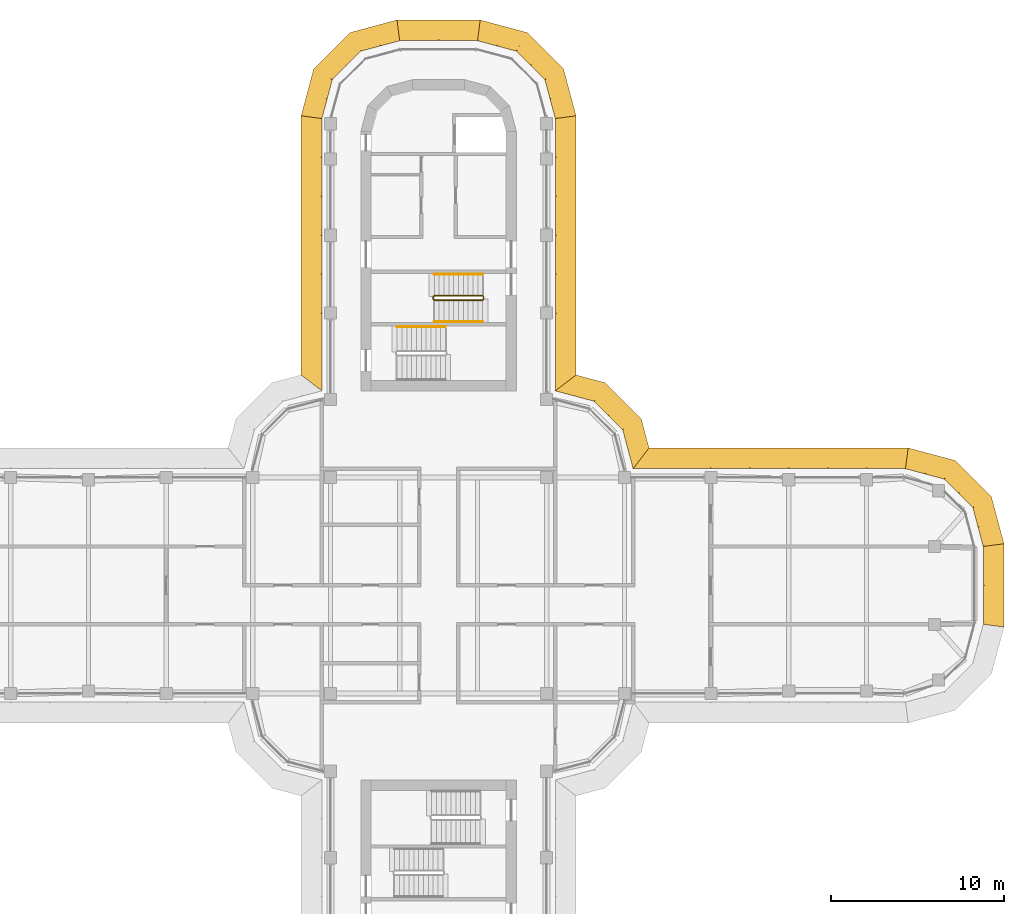
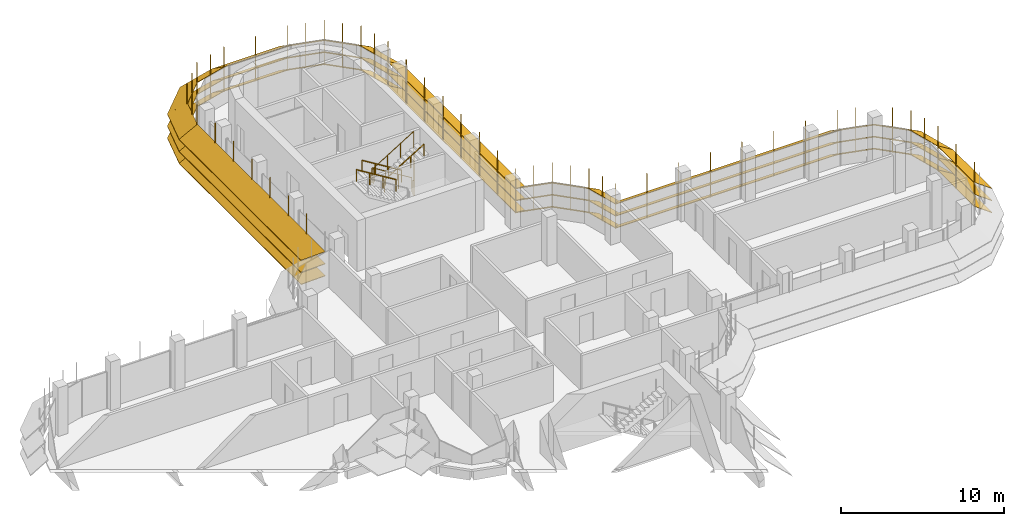
# One storey, part 19 of 19: 9 shading devices, 4 railings.
"""IFC4 building model written with IfcOpenShell, lengths in metres."""

from ifc_helpers import new_model, si_unit, direction, frame, origin, origin_2d, place, context, subcontext, project, spatial, polyline, circle, outline, extrude, faceted_brep, source, transform, mapped, material, type_object, element, save


model = new_model("IFC4")

# Units and contexts
model_context = context("Model", 3, precision=1e-05, world=origin(), true_north=direction((0.0, 1.0)))
body_context = subcontext(model_context, "Body", "Model", "MODEL_VIEW")
ifc_project = project(units=[si_unit("LENGTHUNIT", "METRE"), si_unit("AREAUNIT", "SQUARE_METRE"), si_unit("VOLUMEUNIT", "CUBIC_METRE"), si_unit("PLANEANGLEUNIT", "RADIAN"), si_unit("MASSUNIT", "GRAM", prefix="KILO")], contexts=[model_context])

# Site, building, storey
site_placement = place(None, origin())
site = spatial("IfcSite", under=ifc_project, at=site_placement, CompositionType="ELEMENT")
building_placement = place(site_placement, origin())
building = spatial("IfcBuilding", under=site, at=building_placement, Name="Zarbagh Exchange Tower", CompositionType="ELEMENT")
storey_placement = place(building_placement, frame((0.0, 0.0, 195.39990234375)))
storey = spatial("IfcBuildingStorey", under=building, at=storey_placement, Name="L47", CompositionType="ELEMENT", Elevation=195.39990234375)

# Railings
ifc_material_1 = material(Name="Stainless steel", Category="steel")
railing_type_1 = type_object("IfcRailingType", Name="Stair guard 1100 mm", PredefinedType="GUARDRAIL", material=ifc_material_1)
railing_1_placement = place(storey_placement, frame((2.550048828125, 16.75, 0.1728515625)))
element("IfcRailing", 1, at=railing_1_placement, inside=storey, type_object=railing_type_1, Name="ST1 stair guard 1", PredefinedType="GUARDRAIL", context=body_context, shape_type="SweptSolid", body=[
    extrude(circle(Radius=0.02392578125, at=origin_2d()), frame((0.0, 0.0, 1.076171875), z_axis=(-0.851089632645, 0.0, 0.525020415988), x_axis=(0.0, -1.0, 0.0)), (0.0, 0.0, 1.0), 3.2900390625),
    extrude(circle(Radius=0.02392578125, at=origin_2d()), frame((-2.800048828125, 0.0, 2.80322265625), z_axis=(-0.707106781187, -0.707106781187, 0.0), x_axis=(0.707106781187, -0.707106781187, 0.0)), (0.0, 0.0, 1.0), 0.07080078125),
    extrude(circle(Radius=0.02392578125, at=origin_2d()), frame((-2.85009765625, -0.050048828125, 2.80322265625), z_axis=(0.0, -1.0, 0.0), x_axis=(1.0, 0.0, 0.0)), (0.0, 0.0, 1.0), 0.14990234375),
    extrude(circle(Radius=0.02392578125, at=origin_2d()), frame((-2.85009765625, -0.199951171875, 2.80322265625), z_axis=(0.268277960024, -0.268277960024, 0.925231793839), x_axis=(0.707106781187, 0.707106781187, 0.0)), (0.0, 0.0, 1.0), 0.1865234375),
    extrude(circle(Radius=0.02392578125, at=origin_2d()), frame((-2.800048828125, -0.25, 2.97607421875), z_axis=(0.851089632645, 0.0, 0.525020415988), x_axis=(0.0, 1.0, 0.0)), (0.0, 0.0, 1.0), 3.2900390625),
    extrude(circle(Radius=0.02392578125, at=origin_2d()), frame((0.0, -0.25, 4.703125), z_axis=(0.013168290981, 0.013168290981, -0.999826581076), x_axis=(-0.707106781187, 0.707106781187, 0.0)), (0.0, 0.0, 1.0), 3.80078125),
    extrude(circle(Radius=0.02392578125, at=origin_2d()), frame((0.050048828125, -0.199951171875, 0.9033203125), z_axis=(0.0, 1.0, 0.0), x_axis=(-1.0, 0.0, 0.0)), (0.0, 0.0, 1.0), 0.14990234375),
    extrude(circle(Radius=0.02099609375, at=origin_2d()), origin(), (0.0, 0.0, 1.0), 1.052001953125),
    extrude(circle(Radius=0.02099609375, at=origin_2d()), frame((-0.933349609375, 0.0, 0.57568359375)), (0.0, 0.0, 1.0), 1.052001953125),
    extrude(circle(Radius=0.02099609375, at=origin_2d()), frame((-1.86669921875, 0.0, 1.151611328125)), (0.0, 0.0, 1.0), 1.052001953125),
    extrude(circle(Radius=0.02099609375, at=origin_2d()), frame((-2.800048828125, 0.0, 1.727294921875)), (0.0, 0.0, 1.0), 1.052001953125),
    extrude(circle(Radius=0.02099609375, at=origin_2d()), frame((-2.85009765625, -0.050048828125, 1.727294921875)), (0.0, 0.0, 1.0), 1.052001953125),
    extrude(circle(Radius=0.02099609375, at=origin_2d()), frame((-2.85009765625, -0.199951171875, 1.727294921875)), (0.0, 0.0, 1.0), 1.052001953125),
    extrude(circle(Radius=0.02099609375, at=origin_2d()), frame((-2.800048828125, -0.25, 1.89990234375)), (0.0, 0.0, 1.0), 1.052001953125),
    extrude(circle(Radius=0.02099609375, at=origin_2d()), frame((-1.86669921875, -0.25, 2.4755859375)), (0.0, 0.0, 1.0), 1.052001953125),
    extrude(circle(Radius=0.02099609375, at=origin_2d()), frame((-0.933349609375, -0.25, 3.051513671875)), (0.0, 0.0, 1.0), 1.052001953125),
    extrude(circle(Radius=0.02099609375, at=origin_2d()), frame((0.0, -0.25, 3.627197265625)), (0.0, 0.0, 1.0), 1.052001953125),
    extrude(circle(Radius=0.02099609375, at=origin_2d()), frame((0.012451171875, -0.237548828125, 2.67724609375)), (0.0, 0.0, 1.0), 1.052001953125),
    extrude(circle(Radius=0.02099609375, at=origin_2d()), frame((0.02490234375, -0.22509765625, 1.72705078125)), (0.0, 0.0, 1.0), 1.052001953125),
    extrude(circle(Radius=0.02099609375, at=origin_2d()), frame((0.03759765625, -0.21240234375, 0.777099609375)), (0.0, 0.0, 1.0), 1.052001953125),
    extrude(circle(Radius=0.02099609375, at=origin_2d()), frame((0.050048828125, -0.199951171875, -0.1728515625)), (0.0, 0.0, 1.0), 1.052001953125),
    extrude(circle(Radius=0.02099609375, at=origin_2d()), frame((0.050048828125, -0.050048828125, -0.1728515625)), (0.0, 0.0, 1.0), 1.052001953125),
])
railing_type_2 = type_object("IfcRailingType", Name="Stair handrail 900 mm", PredefinedType="HANDRAIL", material=ifc_material_1)
railing_2_placement = place(storey_placement, frame((2.550048828125, 18.0, 0.1728515625)))
element("IfcRailing", 2, at=railing_2_placement, inside=storey, type_object=railing_type_2, Name="ST1 stair handrail 1", PredefinedType="HANDRAIL", context=body_context, shape_type="SweptSolid", body=[
    extrude(circle(Radius=0.02392578125, at=origin_2d()), frame((0.0, 0.0, 0.8759765625), z_axis=(-0.851089632645, 0.0, 0.525020415988), x_axis=(0.0, -1.0, 0.0)), (0.0, 0.0, 1.0), 3.2900390625),
    extrude(circle(Radius=0.02099609375, at=origin_2d()), origin(), (0.0, 0.0, 1.0), 0.851806640625),
    extrude(circle(Radius=0.02099609375, at=origin_2d()), frame((-0.933349609375, 0.0, 0.57568359375)), (0.0, 0.0, 1.0), 0.851806640625),
    extrude(circle(Radius=0.02099609375, at=origin_2d()), frame((-1.86669921875, 0.0, 1.151611328125)), (0.0, 0.0, 1.0), 0.851806640625),
    extrude(circle(Radius=0.02099609375, at=origin_2d()), frame((-2.800048828125, 0.0, 1.727294921875)), (0.0, 0.0, 1.0), 0.851806640625),
])
railing_3_placement = place(storey_placement, frame((-0.25, 15.25, 2.07275390625)))
element("IfcRailing", 3, at=railing_3_placement, inside=storey, type_object=railing_type_2, Name="ST1 stair handrail 2", PredefinedType="HANDRAIL", context=body_context, shape_type="SweptSolid", body=[
    extrude(circle(Radius=0.02392578125, at=origin_2d()), frame((0.0, 0.0, 0.8759765625), z_axis=(0.851089632645, 0.0, 0.525020415988), x_axis=(0.0, 1.0, 0.0)), (0.0, 0.0, 1.0), 3.2900390625),
    extrude(circle(Radius=0.02099609375, at=origin_2d()), origin(), (0.0, 0.0, 1.0), 0.851806640625),
    extrude(circle(Radius=0.02099609375, at=origin_2d()), frame((0.933349609375, 0.0, 0.57568359375)), (0.0, 0.0, 1.0), 0.851806640625),
    extrude(circle(Radius=0.02099609375, at=origin_2d()), frame((1.86669921875, 0.0, 1.151611328125)), (0.0, 0.0, 1.0), 0.851806640625),
    extrude(circle(Radius=0.02099609375, at=origin_2d()), frame((2.800048828125, 0.0, 1.727294921875)), (0.0, 0.0, 1.0), 0.851806640625),
])
railing_4_placement = place(storey_placement, frame((0.39990234375, 14.949951171875, 2.07275390625)))
element("IfcRailing", 4, at=railing_4_placement, inside=storey, type_object=railing_type_2, Name="ST2 stair handrail 2", PredefinedType="HANDRAIL", context=body_context, shape_type="SweptSolid", body=[
    extrude(circle(Radius=0.02392578125, at=origin_2d()), frame((0.0, 0.0, 0.8759765625), z_axis=(-0.851069175582, 0.0, 0.525053576669), x_axis=(0.0, -1.0, 0.0)), (0.0, 0.0, 1.0), 3.289794921875),
    extrude(circle(Radius=0.02099609375, at=origin_2d()), origin(), (0.0, 0.0, 1.0), 0.851806640625),
    extrude(circle(Radius=0.02099609375, at=origin_2d()), frame((-0.933349609375, 0.0, 0.57568359375)), (0.0, 0.0, 1.0), 0.851806640625),
    extrude(circle(Radius=0.02099609375, at=origin_2d()), frame((-1.866455078125, 0.0, 1.151611328125)), (0.0, 0.0, 1.0), 0.851806640625),
    extrude(circle(Radius=0.02099609375, at=origin_2d()), frame((-2.7998046875, 0.0, 1.727294921875)), (0.0, 0.0, 1.0), 0.851806640625),
])

# Shading devices
ifc_material_2 = material(Name="Anodised aluminium blades and brackets", Category="aluminium")
shading_device_type = type_object("IfcShadingDeviceType", Name="SUNSHADE louvre band, 33.75 degree blades", PredefinedType="JALOUSIE", material=ifc_material_2)
shared_shape_1 = source(origin(), body_context, "Body", "Brep", [
    faceted_brep([(0.0, 0.0, 0.0), (0.0, 0.0, -0.048095703125), (-0.157958984375, -1.199951171875, -0.849853515625), (-0.157958984375, -1.199951171875, -0.8017578125), (2.65087890625, -1.199951171875, -0.8017578125), (2.65087890625, -1.199951171875, -0.849853515625), (2.329345703125, 0.0, -0.048095703125), (2.329345703125, 0.0, 0.0)], [[[0, 1, 2, 3]], [[4, 5, 6, 7]], [[0, 7, 6, 1]], [[1, 6, 5, 2]], [[2, 5, 4, 3]], [[3, 4, 7, 0]]]),
])
shared_shape_2 = source(origin(), body_context, "Body", "Brep", [
    faceted_brep([(0.0, 0.0, 0.0), (0.0, 0.0, -0.048095703125), (-0.321533203125, -1.199951171875, -0.849853515625), (-0.321533203125, -1.199951171875, -0.8017578125), (2.65087890625, -1.199951171875, -0.8017578125), (2.65087890625, -1.199951171875, -0.849853515625), (2.329345703125, 0.0, -0.048095703125), (2.329345703125, 0.0, 0.0)], [[[0, 1, 2, 3]], [[4, 5, 6, 7]], [[0, 7, 6, 1]], [[1, 6, 5, 2]], [[2, 5, 4, 3]], [[3, 4, 7, 0]]]),
])
shared_shape_3 = source(origin(), body_context, "Body", "Brep", [
    faceted_brep([(0.0, 0.0, 0.0), (0.0, 0.0, -0.048095703125), (-0.321533203125, -1.199951171875, -0.849853515625), (-0.321533203125, -1.199951171875, -0.8017578125), (2.4873046875, -1.199951171875, -0.8017578125), (2.4873046875, -1.199951171875, -0.849853515625), (2.329345703125, 0.0, -0.048095703125), (2.329345703125, 0.0, 0.0)], [[[0, 1, 2, 3]], [[4, 5, 6, 7]], [[0, 7, 6, 1]], [[1, 6, 5, 2]], [[2, 5, 4, 3]], [[3, 4, 7, 0]]]),
])
shared_shape_4 = source(origin(), body_context, "Body", "SweptSolid", [
    extrude(outline(polyline([(0.0, -0.012451171875), (0.06005859375, -0.012451171875), (0.06005859375, 0.012451171875), (0.0, 0.012451171875), (0.0, -0.012451171875)])), origin(), (0.0, 0.0, 1.0), 3.358154296875),
])
placement = place(storey_placement, origin())
element("IfcShadingDevice", 5, at=placement, inside=storey, type_object=shading_device_type, Name="SS33 sunshade band", PredefinedType="JALOUSIE", context=body_context, shape_type="MappedRepresentation", body=[
    mapped(shared_shape_1, transform((31.5, 2.25, 2.300048828125), x_axis=(-0.258824779902, 0.965924289636, 0.0), y_axis=(-0.965924289636, -0.258824779902, 0.0), z_axis=(0.0, 0.0, 1.0))),
    mapped(shared_shape_1, transform((31.5, 2.25, 1.400146484375), x_axis=(-0.258824779902, 0.965924289636, 0.0), y_axis=(-0.965924289636, -0.258824779902, 0.0), z_axis=(0.0, 0.0, 1.0))),
    mapped(shared_shape_1, transform((31.5, 2.25, 0.5), x_axis=(-0.258824779902, 0.965924289636, 0.0), y_axis=(-0.965924289636, -0.258824779902, 0.0), z_axis=(0.0, 0.0, 1.0))),
    mapped(shared_shape_2, transform((30.897216796875, 4.5, 2.300048828125), x_axis=(-0.707106781187, 0.707106781187, 0.0), y_axis=(-0.707106781187, -0.707106781187, 0.0), z_axis=(0.0, 0.0, 1.0))),
    mapped(shared_shape_2, transform((30.897216796875, 4.5, 1.400146484375), x_axis=(-0.707106781187, 0.707106781187, 0.0), y_axis=(-0.707106781187, -0.707106781187, 0.0), z_axis=(0.0, 0.0, 1.0))),
    mapped(shared_shape_2, transform((30.897216796875, 4.5, 0.5), x_axis=(-0.707106781187, 0.707106781187, 0.0), y_axis=(-0.707106781187, -0.707106781187, 0.0), z_axis=(0.0, 0.0, 1.0))),
    mapped(shared_shape_3, transform((29.25, 6.147216796875, 2.300048828125), x_axis=(-0.965924289636, 0.258824779902, 0.0), y_axis=(-0.258824779902, -0.965924289636, 0.0), z_axis=(0.0, 0.0, 1.0))),
    mapped(shared_shape_3, transform((29.25, 6.147216796875, 1.400146484375), x_axis=(-0.965924289636, 0.258824779902, 0.0), y_axis=(-0.258824779902, -0.965924289636, 0.0), z_axis=(0.0, 0.0, 1.0))),
    mapped(shared_shape_3, transform((29.25, 6.147216796875, 0.5), x_axis=(-0.965924289636, 0.258824779902, 0.0), y_axis=(-0.258824779902, -0.965924289636, 0.0), z_axis=(0.0, 0.0, 1.0))),
    mapped(shared_shape_4, transform((31.5, 2.25, 0.421875), x_axis=(0.991444457092, 0.130529263012, 0.0), y_axis=(-0.130529263012, 0.991444457092, 0.0), z_axis=(0.0, 0.0, 1.0))),
    mapped(shared_shape_4, transform((31.198486328125, 3.375, 0.421875), x_axis=(0.96592421511, 0.258825058029, 0.0), y_axis=(-0.258825058029, 0.96592421511, 0.0), z_axis=(0.0, 0.0, 1.0))),
    mapped(shared_shape_4, transform((30.897216796875, 4.5, 0.421875), x_axis=(0.866023812018, 0.50000275701, 0.0), y_axis=(-0.50000275701, 0.866023812018, 0.0), z_axis=(0.0, 0.0, 1.0))),
    mapped(shared_shape_4, transform((30.073486328125, 5.323486328125, 0.421875), x_axis=(0.707106781187, 0.707106781187, 0.0), y_axis=(-0.707106781187, 0.707106781187, 0.0), z_axis=(0.0, 0.0, 1.0))),
    mapped(shared_shape_4, transform((29.25, 6.147216796875, 0.421875), x_axis=(0.50000275701, 0.866023812018, 0.0), y_axis=(-0.866023812018, 0.50000275701, 0.0), z_axis=(0.0, 0.0, 1.0))),
    mapped(shared_shape_4, transform((28.125, 6.448486328125, 0.421875), x_axis=(0.258825058029, 0.96592421511, 0.0), y_axis=(-0.96592421511, 0.258825058029, 0.0), z_axis=(0.0, 0.0, 1.0))),
])
element("IfcShadingDevice", 6, at=placement, inside=storey, type_object=shading_device_type, Name="SS26 sunshade band", PredefinedType="JALOUSIE", context=body_context, shape_type="MappedRepresentation", body=[
    mapped(shared_shape_1, transform((6.75, 27.0, 2.300048828125), x_axis=(-0.258824779902, 0.965924289636, 0.0), y_axis=(-0.965924289636, -0.258824779902, 0.0), z_axis=(0.0, 0.0, 1.0))),
    mapped(shared_shape_1, transform((6.75, 27.0, 1.400146484375), x_axis=(-0.258824779902, 0.965924289636, 0.0), y_axis=(-0.965924289636, -0.258824779902, 0.0), z_axis=(0.0, 0.0, 1.0))),
    mapped(shared_shape_1, transform((6.75, 27.0, 0.5), x_axis=(-0.258824779902, 0.965924289636, 0.0), y_axis=(-0.965924289636, -0.258824779902, 0.0), z_axis=(0.0, 0.0, 1.0))),
    mapped(shared_shape_2, transform((6.147216796875, 29.25, 2.300048828125), x_axis=(-0.707106781187, 0.707106781187, 0.0), y_axis=(-0.707106781187, -0.707106781187, 0.0), z_axis=(0.0, 0.0, 1.0))),
    mapped(shared_shape_2, transform((6.147216796875, 29.25, 1.400146484375), x_axis=(-0.707106781187, 0.707106781187, 0.0), y_axis=(-0.707106781187, -0.707106781187, 0.0), z_axis=(0.0, 0.0, 1.0))),
    mapped(shared_shape_2, transform((6.147216796875, 29.25, 0.5), x_axis=(-0.707106781187, 0.707106781187, 0.0), y_axis=(-0.707106781187, -0.707106781187, 0.0), z_axis=(0.0, 0.0, 1.0))),
    mapped(shared_shape_3, transform((4.5, 30.897216796875, 2.300048828125), x_axis=(-0.965924289636, 0.258824779902, 0.0), y_axis=(-0.258824779902, -0.965924289636, 0.0), z_axis=(0.0, 0.0, 1.0))),
    mapped(shared_shape_3, transform((4.5, 30.897216796875, 1.400146484375), x_axis=(-0.965924289636, 0.258824779902, 0.0), y_axis=(-0.258824779902, -0.965924289636, 0.0), z_axis=(0.0, 0.0, 1.0))),
    mapped(shared_shape_3, transform((4.5, 30.897216796875, 0.5), x_axis=(-0.965924289636, 0.258824779902, 0.0), y_axis=(-0.258824779902, -0.965924289636, 0.0), z_axis=(0.0, 0.0, 1.0))),
    mapped(shared_shape_4, transform((6.75, 27.0, 0.421875), x_axis=(0.991444457092, 0.130529263012, 0.0), y_axis=(-0.130529263012, 0.991444457092, 0.0), z_axis=(0.0, 0.0, 1.0))),
    mapped(shared_shape_4, transform((6.448486328125, 28.125, 0.421875), x_axis=(0.96592421511, 0.258825058029, 0.0), y_axis=(-0.258825058029, 0.96592421511, 0.0), z_axis=(0.0, 0.0, 1.0))),
    mapped(shared_shape_4, transform((6.147216796875, 29.25, 0.421875), x_axis=(0.866023812018, 0.50000275701, 0.0), y_axis=(-0.50000275701, 0.866023812018, 0.0), z_axis=(0.0, 0.0, 1.0))),
    mapped(shared_shape_4, transform((5.323486328125, 30.073486328125, 0.421875), x_axis=(0.707106781187, 0.707106781187, 0.0), y_axis=(-0.707106781187, 0.707106781187, 0.0), z_axis=(0.0, 0.0, 1.0))),
    mapped(shared_shape_4, transform((4.5, 30.897216796875, 0.421875), x_axis=(0.50000275701, 0.866023812018, 0.0), y_axis=(-0.866023812018, 0.50000275701, 0.0), z_axis=(0.0, 0.0, 1.0))),
    mapped(shared_shape_4, transform((3.375, 31.198486328125, 0.421875), x_axis=(0.258825058029, 0.96592421511, 0.0), y_axis=(-0.96592421511, 0.258825058029, 0.0), z_axis=(0.0, 0.0, 1.0))),
])
element("IfcShadingDevice", 7, at=placement, inside=storey, type_object=shading_device_type, Name="SS28 sunshade band", PredefinedType="JALOUSIE", context=body_context, shape_type="MappedRepresentation", body=[
    mapped(shared_shape_1, transform((-2.25, 31.5, 2.300048828125), x_axis=(-0.965924289636, -0.258824779902, 0.0), y_axis=(0.258824779902, -0.965924289636, 0.0), z_axis=(0.0, 0.0, 1.0))),
    mapped(shared_shape_1, transform((-2.25, 31.5, 1.400146484375), x_axis=(-0.965924289636, -0.258824779902, 0.0), y_axis=(0.258824779902, -0.965924289636, 0.0), z_axis=(0.0, 0.0, 1.0))),
    mapped(shared_shape_1, transform((-2.25, 31.5, 0.5), x_axis=(-0.965924289636, -0.258824779902, 0.0), y_axis=(0.258824779902, -0.965924289636, 0.0), z_axis=(0.0, 0.0, 1.0))),
    mapped(shared_shape_2, transform((-4.5, 30.897216796875, 2.300048828125), x_axis=(-0.707106781187, -0.707106781187, 0.0), y_axis=(0.707106781187, -0.707106781187, 0.0), z_axis=(0.0, 0.0, 1.0))),
    mapped(shared_shape_2, transform((-4.5, 30.897216796875, 1.400146484375), x_axis=(-0.707106781187, -0.707106781187, 0.0), y_axis=(0.707106781187, -0.707106781187, 0.0), z_axis=(0.0, 0.0, 1.0))),
    mapped(shared_shape_2, transform((-4.5, 30.897216796875, 0.5), x_axis=(-0.707106781187, -0.707106781187, 0.0), y_axis=(0.707106781187, -0.707106781187, 0.0), z_axis=(0.0, 0.0, 1.0))),
    mapped(shared_shape_3, transform((-6.147216796875, 29.25, 2.300048828125), x_axis=(-0.258824779902, -0.965924289636, 0.0), y_axis=(0.965924289636, -0.258824779902, 0.0), z_axis=(0.0, 0.0, 1.0))),
    mapped(shared_shape_3, transform((-6.147216796875, 29.25, 1.400146484375), x_axis=(-0.258824779902, -0.965924289636, 0.0), y_axis=(0.965924289636, -0.258824779902, 0.0), z_axis=(0.0, 0.0, 1.0))),
    mapped(shared_shape_3, transform((-6.147216796875, 29.25, 0.5), x_axis=(-0.258824779902, -0.965924289636, 0.0), y_axis=(0.965924289636, -0.258824779902, 0.0), z_axis=(0.0, 0.0, 1.0))),
    mapped(shared_shape_4, transform((-2.25, 31.5, 0.421875), x_axis=(-0.130529263012, 0.991444457092, 0.0), y_axis=(-0.991444457092, -0.130529263012, 0.0), z_axis=(0.0, 0.0, 1.0))),
    mapped(shared_shape_4, transform((-3.375, 31.198486328125, 0.421875), x_axis=(-0.258825058029, 0.96592421511, 0.0), y_axis=(-0.96592421511, -0.258825058029, 0.0), z_axis=(0.0, 0.0, 1.0))),
    mapped(shared_shape_4, transform((-4.5, 30.897216796875, 0.421875), x_axis=(-0.50000275701, 0.866023812018, 0.0), y_axis=(-0.866023812018, -0.50000275701, 0.0), z_axis=(0.0, 0.0, 1.0))),
    mapped(shared_shape_4, transform((-5.323486328125, 30.073486328125, 0.421875), x_axis=(-0.707106781187, 0.707106781187, 0.0), y_axis=(-0.707106781187, -0.707106781187, 0.0), z_axis=(0.0, 0.0, 1.0))),
    mapped(shared_shape_4, transform((-6.147216796875, 29.25, 0.421875), x_axis=(-0.866023812018, 0.50000275701, 0.0), y_axis=(-0.50000275701, -0.866023812018, 0.0), z_axis=(0.0, 0.0, 1.0))),
    mapped(shared_shape_4, transform((-6.448486328125, 28.125, 0.421875), x_axis=(-0.96592421511, 0.258825058029, 0.0), y_axis=(-0.258825058029, -0.96592421511, 0.0), z_axis=(0.0, 0.0, 1.0))),
])
shared_shape_5 = source(origin(), body_context, "Body", "Brep", [
    faceted_brep([(0.0, 0.0, 0.0), (0.0, 0.0, -0.048095703125), (0.9208984375, -1.199951171875, -0.849853515625), (0.9208984375, -1.199951171875, -0.8017578125), (2.65087890625, -1.199951171875, -0.8017578125), (2.65087890625, -1.199951171875, -0.849853515625), (2.329345703125, 0.0, -0.048095703125), (2.329345703125, 0.0, 0.0)], [[[0, 1, 2, 3]], [[4, 5, 6, 7]], [[0, 7, 6, 1]], [[1, 6, 5, 2]], [[2, 5, 4, 3]], [[3, 4, 7, 0]]]),
])
shared_shape_6 = source(origin(), body_context, "Body", "Brep", [
    faceted_brep([(0.0, 0.0, 0.0), (0.0, 0.0, -0.048095703125), (-0.321533203125, -1.199951171875, -0.849853515625), (-0.321533203125, -1.199951171875, -0.8017578125), (1.40869140625, -1.199951171875, -0.8017578125), (1.40869140625, -1.199951171875, -0.849853515625), (2.329345703125, 0.0, -0.048095703125), (2.329345703125, 0.0, 0.0)], [[[0, 1, 2, 3]], [[4, 5, 6, 7]], [[0, 7, 6, 1]], [[1, 6, 5, 2]], [[2, 5, 4, 3]], [[3, 4, 7, 0]]]),
])
element("IfcShadingDevice", 8, at=placement, inside=storey, type_object=shading_device_type, Name="SS09 sunshade band", PredefinedType="JALOUSIE", context=body_context, shape_type="MappedRepresentation", body=[
    mapped(shared_shape_5, transform((11.25, 6.75, 2.300048828125), x_axis=(-0.258824779902, 0.965924289636, 0.0), y_axis=(-0.965924289636, -0.258824779902, 0.0), z_axis=(0.0, 0.0, 1.0))),
    mapped(shared_shape_5, transform((11.25, 6.75, 1.400146484375), x_axis=(-0.258824779902, 0.965924289636, 0.0), y_axis=(-0.965924289636, -0.258824779902, 0.0), z_axis=(0.0, 0.0, 1.0))),
    mapped(shared_shape_5, transform((11.25, 6.75, 0.5), x_axis=(-0.258824779902, 0.965924289636, 0.0), y_axis=(-0.965924289636, -0.258824779902, 0.0), z_axis=(0.0, 0.0, 1.0))),
    mapped(shared_shape_2, transform((10.647216796875, 9.0, 2.300048828125), x_axis=(-0.707106781187, 0.707106781187, 0.0), y_axis=(-0.707106781187, -0.707106781187, 0.0), z_axis=(0.0, 0.0, 1.0))),
    mapped(shared_shape_2, transform((10.647216796875, 9.0, 1.400146484375), x_axis=(-0.707106781187, 0.707106781187, 0.0), y_axis=(-0.707106781187, -0.707106781187, 0.0), z_axis=(0.0, 0.0, 1.0))),
    mapped(shared_shape_2, transform((10.647216796875, 9.0, 0.5), x_axis=(-0.707106781187, 0.707106781187, 0.0), y_axis=(-0.707106781187, -0.707106781187, 0.0), z_axis=(0.0, 0.0, 1.0))),
    mapped(shared_shape_6, transform((9.0, 10.647216796875, 2.300048828125), x_axis=(-0.965924289636, 0.258824779902, 0.0), y_axis=(-0.258824779902, -0.965924289636, 0.0), z_axis=(0.0, 0.0, 1.0))),
    mapped(shared_shape_6, transform((9.0, 10.647216796875, 1.400146484375), x_axis=(-0.965924289636, 0.258824779902, 0.0), y_axis=(-0.258824779902, -0.965924289636, 0.0), z_axis=(0.0, 0.0, 1.0))),
    mapped(shared_shape_6, transform((9.0, 10.647216796875, 0.5), x_axis=(-0.965924289636, 0.258824779902, 0.0), y_axis=(-0.258824779902, -0.965924289636, 0.0), z_axis=(0.0, 0.0, 1.0))),
    mapped(shared_shape_4, transform((11.25, 6.75, 0.421875), x_axis=(0.608758892, 0.793355287, 0.0), y_axis=(-0.793355287, 0.608758892, 0.0), z_axis=(0.0, 0.0, 1.0))),
    mapped(shared_shape_4, transform((10.948486328125, 7.875, 0.421875), x_axis=(0.96592421511, 0.258825058029, 0.0), y_axis=(-0.258825058029, 0.96592421511, 0.0), z_axis=(0.0, 0.0, 1.0))),
    mapped(shared_shape_4, transform((10.647216796875, 9.0, 0.421875), x_axis=(0.866023812018, 0.50000275701, 0.0), y_axis=(-0.50000275701, 0.866023812018, 0.0), z_axis=(0.0, 0.0, 1.0))),
    mapped(shared_shape_4, transform((9.823486328125, 9.823486328125, 0.421875), x_axis=(0.707106781187, 0.707106781187, 0.0), y_axis=(-0.707106781187, 0.707106781187, 0.0), z_axis=(0.0, 0.0, 1.0))),
    mapped(shared_shape_4, transform((9.0, 10.647216796875, 0.421875), x_axis=(0.50000275701, 0.866023812018, 0.0), y_axis=(-0.866023812018, 0.50000275701, 0.0), z_axis=(0.0, 0.0, 1.0))),
    mapped(shared_shape_4, transform((7.875, 10.948486328125, 0.421875), x_axis=(0.258825058029, 0.96592421511, 0.0), y_axis=(-0.96592421511, 0.258825058029, 0.0), z_axis=(0.0, 0.0, 1.0))),
])
shared_shape_7 = source(origin(), body_context, "Body", "Brep", [
    faceted_brep([(0.0, 0.0, 0.0), (0.0, 0.0, -0.048095703125), (-0.157958984375, -1.199951171875, -0.849853515625), (-0.157958984375, -1.199951171875, -0.8017578125), (4.657958984375, -1.199951171875, -0.8017578125), (4.657958984375, -1.199951171875, -0.849853515625), (4.5, 0.0, -0.048095703125), (4.5, 0.0, 0.0)], [[[0, 1, 2, 3]], [[4, 5, 6, 7]], [[0, 7, 6, 1]], [[1, 6, 5, 2]], [[2, 5, 4, 3]], [[3, 4, 7, 0]]]),
])
element("IfcShadingDevice", 9, at=placement, inside=storey, type_object=shading_device_type, Name="SS32 sunshade band", PredefinedType="JALOUSIE", context=body_context, shape_type="MappedRepresentation", body=[
    mapped(shared_shape_7, transform((31.5, -2.25, 2.300048828125), x_axis=(0.0, 1.0, 0.0), y_axis=(-1.0, 0.0, 0.0), z_axis=(0.0, 0.0, 1.0))),
    mapped(shared_shape_7, transform((31.5, -2.25, 1.400146484375), x_axis=(0.0, 1.0, 0.0), y_axis=(-1.0, 0.0, 0.0), z_axis=(0.0, 0.0, 1.0))),
    mapped(shared_shape_7, transform((31.5, -2.25, 0.5), x_axis=(0.0, 1.0, 0.0), y_axis=(-1.0, 0.0, 0.0), z_axis=(0.0, 0.0, 1.0))),
    mapped(shared_shape_4, transform((31.5, -2.25, 0.421875), x_axis=(0.991444457092, -0.130529263012, 0.0), y_axis=(0.130529263012, 0.991444457092, 0.0), z_axis=(0.0, 0.0, 1.0))),
    mapped(shared_shape_4, transform((31.5, 0.0, 0.421875), x_axis=(1.0, 0.0, 0.0), y_axis=(0.0, 1.0, 0.0), z_axis=(0.0, 0.0, 1.0))),
])
shared_shape_8 = source(origin(), body_context, "Body", "Brep", [
    faceted_brep([(0.0, 0.0, 0.0), (0.0, 0.0, -0.048095703125), (-0.157958984375, -1.199951171875, -0.849853515625), (-0.157958984375, -1.199951171875, -0.8017578125), (14.8291015625, -1.199951171875, -0.8017578125), (14.8291015625, -1.199951171875, -0.849853515625), (15.75, 0.0, -0.048095703125), (15.75, 0.0, 0.0)], [[[0, 1, 2, 3]], [[4, 5, 6, 7]], [[0, 7, 6, 1]], [[1, 6, 5, 2]], [[2, 5, 4, 3]], [[3, 4, 7, 0]]]),
])
element("IfcShadingDevice", 10, at=placement, inside=storey, type_object=shading_device_type, Name="SS34 sunshade band", PredefinedType="JALOUSIE", context=body_context, shape_type="MappedRepresentation", body=[
    mapped(shared_shape_8, transform((27.0, 6.75, 2.300048828125), x_axis=(-1.0, 0.0, 0.0), y_axis=(0.0, -1.0, 0.0), z_axis=(0.0, 0.0, 1.0))),
    mapped(shared_shape_8, transform((27.0, 6.75, 1.400146484375), x_axis=(-1.0, 0.0, 0.0), y_axis=(0.0, -1.0, 0.0), z_axis=(0.0, 0.0, 1.0))),
    mapped(shared_shape_8, transform((27.0, 6.75, 0.5), x_axis=(-1.0, 0.0, 0.0), y_axis=(0.0, -1.0, 0.0), z_axis=(0.0, 0.0, 1.0))),
    mapped(shared_shape_4, transform((27.0, 6.75, 0.421875), x_axis=(0.130529263012, 0.991444457092, 0.0), y_axis=(-0.991444457092, 0.130529263012, 0.0), z_axis=(0.0, 0.0, 1.0))),
    mapped(shared_shape_4, transform((24.75, 6.75, 0.421875), x_axis=(0.0, 1.0, 0.0), y_axis=(-1.0, 0.0, 0.0), z_axis=(0.0, 0.0, 1.0))),
    mapped(shared_shape_4, transform((22.5, 6.75, 0.421875), x_axis=(0.0, 1.0, 0.0), y_axis=(-1.0, 0.0, 0.0), z_axis=(0.0, 0.0, 1.0))),
    mapped(shared_shape_4, transform((20.25, 6.75, 0.421875), x_axis=(0.0, 1.0, 0.0), y_axis=(-1.0, 0.0, 0.0), z_axis=(0.0, 0.0, 1.0))),
    mapped(shared_shape_4, transform((18.0, 6.75, 0.421875), x_axis=(0.0, 1.0, 0.0), y_axis=(-1.0, 0.0, 0.0), z_axis=(0.0, 0.0, 1.0))),
    mapped(shared_shape_4, transform((15.75, 6.75, 0.421875), x_axis=(0.0, 1.0, 0.0), y_axis=(-1.0, 0.0, 0.0), z_axis=(0.0, 0.0, 1.0))),
    mapped(shared_shape_4, transform((13.5, 6.75, 0.421875), x_axis=(0.0, 1.0, 0.0), y_axis=(-1.0, 0.0, 0.0), z_axis=(0.0, 0.0, 1.0))),
])
shared_shape_9 = source(origin(), body_context, "Body", "Brep", [
    faceted_brep([(0.0, 0.0, 0.0), (0.0, 0.0, -0.048095703125), (0.9208984375, -1.199951171875, -0.849853515625), (0.9208984375, -1.199951171875, -0.8017578125), (15.907958984375, -1.199951171875, -0.8017578125), (15.907958984375, -1.199951171875, -0.849853515625), (15.75, 0.0, -0.048095703125), (15.75, 0.0, 0.0)], [[[0, 1, 2, 3]], [[4, 5, 6, 7]], [[0, 7, 6, 1]], [[1, 6, 5, 2]], [[2, 5, 4, 3]], [[3, 4, 7, 0]]]),
])
element("IfcShadingDevice", 11, at=placement, inside=storey, type_object=shading_device_type, Name="SS25 sunshade band", PredefinedType="JALOUSIE", context=body_context, shape_type="MappedRepresentation", body=[
    mapped(shared_shape_9, transform((6.75, 11.25, 2.300048828125), x_axis=(0.0, 1.0, 0.0), y_axis=(-1.0, 0.0, 0.0), z_axis=(0.0, 0.0, 1.0))),
    mapped(shared_shape_9, transform((6.75, 11.25, 1.400146484375), x_axis=(0.0, 1.0, 0.0), y_axis=(-1.0, 0.0, 0.0), z_axis=(0.0, 0.0, 1.0))),
    mapped(shared_shape_9, transform((6.75, 11.25, 0.5), x_axis=(0.0, 1.0, 0.0), y_axis=(-1.0, 0.0, 0.0), z_axis=(0.0, 0.0, 1.0))),
    mapped(shared_shape_4, transform((6.75, 11.25, 0.421875), x_axis=(0.793355287, 0.608758892, 0.0), y_axis=(-0.608758892, 0.793355287, 0.0), z_axis=(0.0, 0.0, 1.0))),
    mapped(shared_shape_4, transform((6.75, 13.5, 0.421875), x_axis=(1.0, 0.0, 0.0), y_axis=(0.0, 1.0, 0.0), z_axis=(0.0, 0.0, 1.0))),
    mapped(shared_shape_4, transform((6.75, 15.75, 0.421875), x_axis=(1.0, 0.0, 0.0), y_axis=(0.0, 1.0, 0.0), z_axis=(0.0, 0.0, 1.0))),
    mapped(shared_shape_4, transform((6.75, 18.0, 0.421875), x_axis=(1.0, 0.0, 0.0), y_axis=(0.0, 1.0, 0.0), z_axis=(0.0, 0.0, 1.0))),
    mapped(shared_shape_4, transform((6.75, 20.25, 0.421875), x_axis=(1.0, 0.0, 0.0), y_axis=(0.0, 1.0, 0.0), z_axis=(0.0, 0.0, 1.0))),
    mapped(shared_shape_4, transform((6.75, 22.5, 0.421875), x_axis=(1.0, 0.0, 0.0), y_axis=(0.0, 1.0, 0.0), z_axis=(0.0, 0.0, 1.0))),
    mapped(shared_shape_4, transform((6.75, 24.75, 0.421875), x_axis=(1.0, 0.0, 0.0), y_axis=(0.0, 1.0, 0.0), z_axis=(0.0, 0.0, 1.0))),
])
element("IfcShadingDevice", 12, at=placement, inside=storey, type_object=shading_device_type, Name="SS27 sunshade band", PredefinedType="JALOUSIE", context=body_context, shape_type="MappedRepresentation", body=[
    mapped(shared_shape_7, transform((2.25, 31.5, 2.300048828125), x_axis=(-1.0, 0.0, 0.0), y_axis=(0.0, -1.0, 0.0), z_axis=(0.0, 0.0, 1.0))),
    mapped(shared_shape_7, transform((2.25, 31.5, 1.400146484375), x_axis=(-1.0, 0.0, 0.0), y_axis=(0.0, -1.0, 0.0), z_axis=(0.0, 0.0, 1.0))),
    mapped(shared_shape_7, transform((2.25, 31.5, 0.5), x_axis=(-1.0, 0.0, 0.0), y_axis=(0.0, -1.0, 0.0), z_axis=(0.0, 0.0, 1.0))),
    mapped(shared_shape_4, transform((2.25, 31.5, 0.421875), x_axis=(0.130529263012, 0.991444457092, 0.0), y_axis=(-0.991444457092, 0.130529263012, 0.0), z_axis=(0.0, 0.0, 1.0))),
    mapped(shared_shape_4, transform((0.0, 31.5, 0.421875), x_axis=(0.0, 1.0, 0.0), y_axis=(-1.0, 0.0, 0.0), z_axis=(0.0, 0.0, 1.0))),
])
element("IfcShadingDevice", 13, at=placement, inside=storey, type_object=shading_device_type, Name="SS29 sunshade band", PredefinedType="JALOUSIE", context=body_context, shape_type="MappedRepresentation", body=[
    mapped(shared_shape_8, transform((-6.75, 27.0, 2.300048828125), x_axis=(0.0, -1.0, 0.0), y_axis=(1.0, 0.0, 0.0), z_axis=(0.0, 0.0, 1.0))),
    mapped(shared_shape_8, transform((-6.75, 27.0, 1.400146484375), x_axis=(0.0, -1.0, 0.0), y_axis=(1.0, 0.0, 0.0), z_axis=(0.0, 0.0, 1.0))),
    mapped(shared_shape_8, transform((-6.75, 27.0, 0.5), x_axis=(0.0, -1.0, 0.0), y_axis=(1.0, 0.0, 0.0), z_axis=(0.0, 0.0, 1.0))),
    mapped(shared_shape_4, transform((-6.75, 27.0, 0.421875), x_axis=(-0.991444457092, 0.130529263012, 0.0), y_axis=(-0.130529263012, -0.991444457092, 0.0), z_axis=(0.0, 0.0, 1.0))),
    mapped(shared_shape_4, transform((-6.75, 24.75, 0.421875), x_axis=(-1.0, 0.0, 0.0), y_axis=(0.0, -1.0, 0.0), z_axis=(0.0, 0.0, 1.0))),
    mapped(shared_shape_4, transform((-6.75, 22.5, 0.421875), x_axis=(-1.0, 0.0, 0.0), y_axis=(0.0, -1.0, 0.0), z_axis=(0.0, 0.0, 1.0))),
    mapped(shared_shape_4, transform((-6.75, 20.25, 0.421875), x_axis=(-1.0, 0.0, 0.0), y_axis=(0.0, -1.0, 0.0), z_axis=(0.0, 0.0, 1.0))),
    mapped(shared_shape_4, transform((-6.75, 18.0, 0.421875), x_axis=(-1.0, 0.0, 0.0), y_axis=(0.0, -1.0, 0.0), z_axis=(0.0, 0.0, 1.0))),
    mapped(shared_shape_4, transform((-6.75, 15.75, 0.421875), x_axis=(-1.0, 0.0, 0.0), y_axis=(0.0, -1.0, 0.0), z_axis=(0.0, 0.0, 1.0))),
    mapped(shared_shape_4, transform((-6.75, 13.5, 0.421875), x_axis=(-1.0, 0.0, 0.0), y_axis=(0.0, -1.0, 0.0), z_axis=(0.0, 0.0, 1.0))),
])

save(model, "model.ifc")
